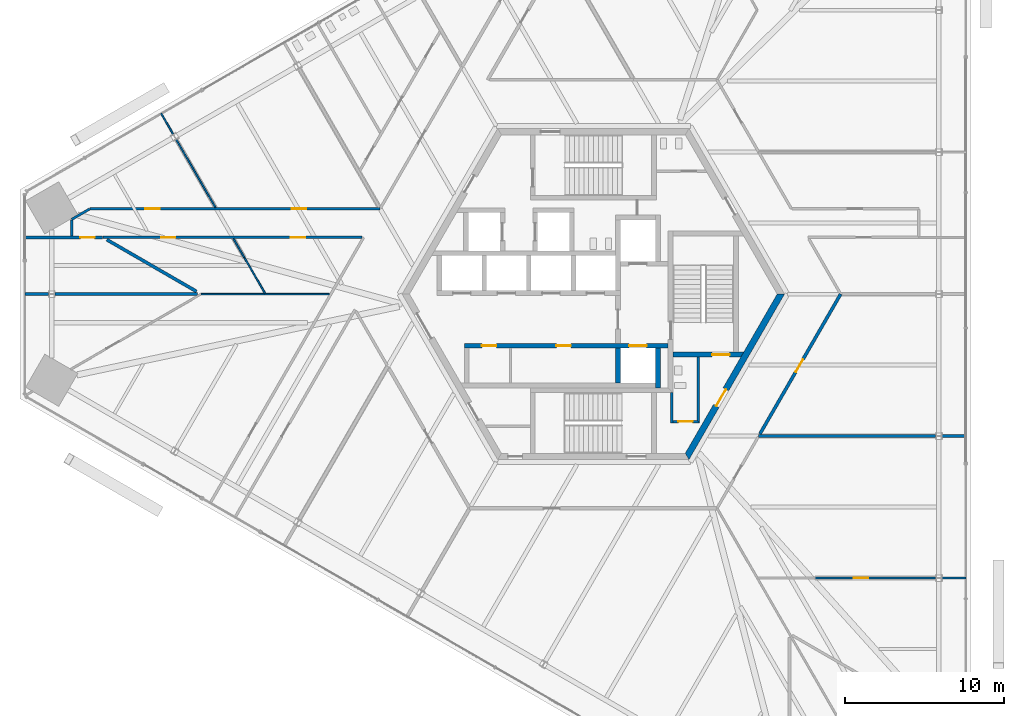
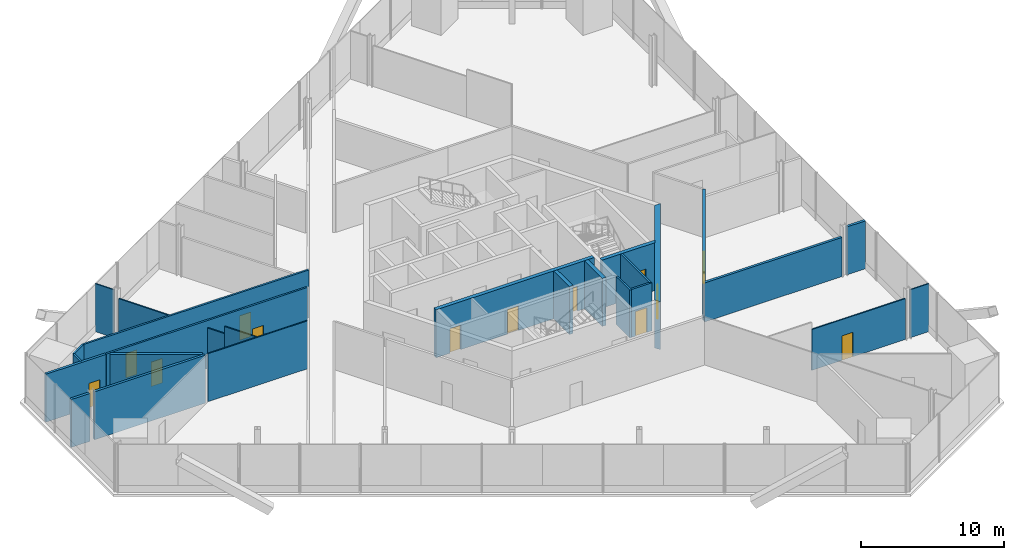
# One storey, part 12 of 17: 26 walls, 13 doors, 13 openings.
"""IFC4 building model written with IfcOpenShell, lengths in metres."""

import ifcopenshell
import ifcopenshell.guid

model = None  # the IFC model being written
_history = None  # IfcOwnerHistory: only IFC2X3 demands one
_inside = {}  # id of a spatial element -> (the spatial element, [elements in it])
_under = {}  # id of a project, library or spatial element -> (it, [spatial elements below it])
_declared = {}  # id of a project -> (the project, [libraries it declares])
_typed = {}  # id of a type object -> (the type object, [elements of that type])
_made_of = {}  # id of a material, layer set ... -> (it, [elements and type objects made of it])


def new_model(schema):
    """Start an empty IFC model of exactly this schema.

    Asked for "IFC4X3", IfcOpenShell would pick the latest addendum, in which some entities
    have other attributes; the version numbers below select the first issue.
    IFC2X3 requires an IfcOwnerHistory on every rooted entity: one is made here for all.
    """
    global model, _history
    if schema == "IFC4X3":
        model = ifcopenshell.file(schema_version=(4, 3, 0, 0))
    else:
        model = ifcopenshell.file(schema=schema)
    _inside.clear()
    _under.clear()
    _declared.clear()
    _typed.clear()
    _made_of.clear()
    _history = None
    if model.schema == "IFC2X3":
        org = make("IfcOrganization", Name="unknown")
        user = make(
            "IfcPersonAndOrganization",
            ThePerson=make("IfcPerson", FamilyName="unknown"),
            TheOrganization=org,
        )
        app = make(
            "IfcApplication",
            ApplicationDeveloper=org,
            Version="unknown",
            ApplicationFullName="unknown",
            ApplicationIdentifier="unknown",
        )
        _history = make(
            "IfcOwnerHistory",
            OwningUser=user,
            OwningApplication=app,
            ChangeAction="ADDED",
            CreationDate=0,
        )
    return model


def make(cls, **values):
    """One entity of the class cls with the attributes given. An attribute that is None is left unset."""
    return model.create_entity(
        cls, **{name: value for name, value in values.items() if value is not None}
    )


def rooted(cls, **values):
    """An entity with a GlobalId (a new one), such as an element, a storey or a relation."""
    return make(cls, GlobalId=ifcopenshell.guid.new(), OwnerHistory=_history, **values)


def si_unit(unit_type, name, prefix=None):
    """IfcSIUnit, for example si_unit("LENGTHUNIT", "METRE", prefix="MILLI")."""
    return make("IfcSIUnit", UnitType=unit_type, Prefix=prefix, Name=name)


def assignment(units):
    """IfcUnitAssignment: the units of a project."""
    return None if units is None else make("IfcUnitAssignment", Units=units)


def point(xyz):
    """IfcCartesianPoint."""
    return None if xyz is None else make("IfcCartesianPoint", Coordinates=xyz)


def direction(xyz):
    """IfcDirection."""
    return None if xyz is None else make("IfcDirection", DirectionRatios=xyz)


def frame(location, z_axis=None, x_axis=None):
    """IfcAxis2Placement3D, a coordinate frame: its origin and axes. An axis left out is left unset."""
    return make(
        "IfcAxis2Placement3D",
        Location=point(location),
        Axis=direction(z_axis),
        RefDirection=direction(x_axis),
    )


def frame_2d(location, x_axis=None):
    """IfcAxis2Placement2D, a coordinate frame in the plane: its origin and x axis."""
    return make(
        "IfcAxis2Placement2D", Location=point(location), RefDirection=direction(x_axis)
    )


def origin():
    """The frame at (0, 0, 0) with its axes left unset."""
    return frame((0.0, 0.0, 0.0))


def place(relative_to, where):
    """IfcLocalPlacement: puts the frame where relative to a parent placement (None: the world)."""
    return make(
        "IfcLocalPlacement", PlacementRelTo=relative_to, RelativePlacement=where
    )


def context(
    kind, dimensions, precision=None, world=None, true_north=None, identifier=None
):
    """IfcGeometricRepresentationContext, for example the 3D "Model" context."""
    return make(
        "IfcGeometricRepresentationContext",
        ContextIdentifier=identifier,
        ContextType=kind,
        CoordinateSpaceDimension=dimensions,
        Precision=precision,
        WorldCoordinateSystem=world,
        TrueNorth=true_north,
    )


def subcontext(parent, identifier, kind, view, scale=None):
    """IfcGeometricRepresentationSubContext, for example "Body" below "Model"."""
    return make(
        "IfcGeometricRepresentationSubContext",
        ContextIdentifier=identifier,
        ContextType=kind,
        ParentContext=parent,
        TargetScale=scale,
        TargetView=view,
    )


def project(units=None, contexts=None):
    """IfcProject with its units and contexts."""
    return rooted(
        "IfcProject",
        Name="project",
        RepresentationContexts=contexts,
        UnitsInContext=assignment(units),
    )


def spatial(cls, under=None, at=None, **own):
    """A site, building, storey or space (cls), placed at a placement, below another one or the project."""
    s = rooted(cls, ObjectPlacement=at, **own)
    if under is not None:
        _under.setdefault(under.id(), (under, []))[1].append(s)
    return s


def polyline(points):
    """IfcPolyline through the points."""
    return make("IfcPolyline", Points=[point(p) for p in points])


def profile(cls, at=None, kind="AREA", **sizes):
    """A parametric profile (cls). Its sizes go by their IFC names, for example OverallWidth=200.0."""
    return make(cls, ProfileType=kind, Position=at, **sizes)


def rectangle(**sizes):
    """IfcRectangleProfileDef."""
    return profile("IfcRectangleProfileDef", **sizes)


def outline(outer, holes=None, kind="AREA"):
    """IfcArbitraryClosedProfileDef: a profile drawn as a closed curve; with holes, ...WithVoids."""
    if holes is None:
        return make("IfcArbitraryClosedProfileDef", ProfileType=kind, OuterCurve=outer)
    return make(
        "IfcArbitraryProfileDefWithVoids",
        ProfileType=kind,
        OuterCurve=outer,
        InnerCurves=holes,
    )


def extrude(swept, where, along, depth):
    """IfcExtrudedAreaSolid: the profile swept, set in the frame where, extruded along a direction by depth."""
    return make(
        "IfcExtrudedAreaSolid",
        SweptArea=swept,
        Position=where,
        ExtrudedDirection=direction(along),
        Depth=depth,
    )


def shape(context_of_items, identifier, shape_type, items):
    """IfcShapeRepresentation: the items that make up one representation, for example the "Body"."""
    return make(
        "IfcShapeRepresentation",
        ContextOfItems=context_of_items,
        RepresentationIdentifier=identifier,
        RepresentationType=shape_type,
        Items=items,
    )


def source(mapping_origin, context_of_items, identifier, shape_type, items):
    """IfcRepresentationMap: a shape defined once, which mapped items show again and again."""
    return make(
        "IfcRepresentationMap",
        MappingOrigin=mapping_origin,
        MappedRepresentation=shape(context_of_items, identifier, shape_type, items),
    )


def transform(
    local_origin,
    x_axis=None,
    y_axis=None,
    z_axis=None,
    scale=None,
    scale2=None,
    scale3=None,
    uniform=True,
):
    """IfcCartesianTransformationOperator3D, or its non-uniform kind. x_axis, y_axis, z_axis: its Axis1, 2, 3."""
    if uniform:
        return make(
            "IfcCartesianTransformationOperator3D",
            Axis1=direction(x_axis),
            Axis2=direction(y_axis),
            LocalOrigin=point(local_origin),
            Scale=scale,
            Axis3=direction(z_axis),
        )
    return make(
        "IfcCartesianTransformationOperator3DnonUniform",
        Axis1=direction(x_axis),
        Axis2=direction(y_axis),
        LocalOrigin=point(local_origin),
        Scale=scale,
        Axis3=direction(z_axis),
        Scale2=scale2,
        Scale3=scale3,
    )


def mapped(mapping_source, mapping_target):
    """IfcMappedItem: shows the shape of a source again, moved by a transform."""
    return make(
        "IfcMappedItem", MappingSource=mapping_source, MappingTarget=mapping_target
    )


def material(Name=None, Category=None):
    """IfcMaterial."""
    return make("IfcMaterial", Name=Name, Category=Category)


def layer(
    of_material, thickness, ventilated=None, Name=None, Category=None, Priority=None
):
    """IfcMaterialLayer: one layer of a wall or slab, of a material (None: an air gap)."""
    return make(
        "IfcMaterialLayer",
        Material=of_material,
        LayerThickness=thickness,
        IsVentilated=ventilated,
        Name=Name,
        Category=Category,
        Priority=Priority,
    )


def layer_set(layers, Name=None):
    """IfcMaterialLayerSet."""
    return make("IfcMaterialLayerSet", MaterialLayers=layers, LayerSetName=Name)


def made_of(thing, what):
    """Note that an element or type object is made of a material, layer set ...; save() writes the relation."""
    if what is not None:
        _made_of.setdefault(what.id(), (what, []))[1].append(thing)
    return thing


def type_object(cls, material=None, **own):
    """A type object (cls), such as IfcWallType, which elements share."""
    return made_of(rooted(cls, **own), material)


def element(
    cls,
    number,
    at=None,
    inside=None,
    cuts=None,
    type_object=None,
    material=None,
    context=None,
    identifier="Body",
    shape_type=None,
    held_by="IfcProductDefinitionShape",
    body=None,
    shapes=None,
    **own,
):
    """One element of the class cls, such as IfcWall. Its Tag is "e" and its number.

    at: its placement. inside: the storey or other place that contains it. cuts: it is an
    opening in that element (IfcRelVoidsElement). A single representation is given by context,
    identifier, shape_type and body (its items); several are given by shapes. held_by: the class
    of the entity that holds the representations. save() writes the other relations.
    """
    e = rooted(cls, Tag="e%d" % number, ObjectPlacement=at, **own)
    if body is not None:
        shapes = [shape(context, identifier, shape_type, body)]
    if shapes is not None:
        e.Representation = make(held_by, Representations=shapes)
    if inside is not None:
        _inside.setdefault(inside.id(), (inside, []))[1].append(e)
    if cuts is not None:
        rooted(
            "IfcRelVoidsElement", RelatingBuildingElement=cuts, RelatedOpeningElement=e
        )
    if type_object is not None:
        _typed.setdefault(type_object.id(), (type_object, []))[1].append(e)
    return made_of(e, material)


def fill(opening, filler):
    """IfcRelFillsElement: the door or window that sits in an opening."""
    return rooted(
        "IfcRelFillsElement",
        RelatingOpeningElement=opening,
        RelatedBuildingElement=filler,
    )


def aggregate(whole, parts):
    """IfcRelAggregates: a whole, such as a stair, and the parts it consists of."""
    return rooted("IfcRelAggregates", RelatingObject=whole, RelatedObjects=parts)


def save(model, path):
    """Write the relations noted so far, then the file.

    IfcRelAggregates (storeys below a building ...), IfcRelContainedInSpatialStructure (elements
    in a storey), IfcRelDefinesByType, IfcRelAssociatesMaterial and IfcRelDeclares: one each for
    every whole, place, type object, material and project.
    """
    for whole, parts in _under.values():
        aggregate(whole, parts)
    for where, things in _inside.values():
        rooted(
            "IfcRelContainedInSpatialStructure",
            RelatedElements=things,
            RelatingStructure=where,
        )
    for kind, things in _typed.values():
        rooted("IfcRelDefinesByType", RelatedObjects=things, RelatingType=kind)
    for what, things in _made_of.values():
        rooted("IfcRelAssociatesMaterial", RelatedObjects=things, RelatingMaterial=what)
    for by, libraries in _declared.values():
        rooted("IfcRelDeclares", RelatingContext=by, RelatedDefinitions=libraries)
    model.write(path)


model = new_model("IFC4")

# Units and contexts
model_context = context("Model", 3, precision=1e-05, world=origin(), true_north=direction((0.0, 1.0)))
body_context = subcontext(model_context, "Body", "Model", "MODEL_VIEW")
ifc_project = project(units=[si_unit("LENGTHUNIT", "METRE"), si_unit("AREAUNIT", "SQUARE_METRE"), si_unit("VOLUMEUNIT", "CUBIC_METRE"), si_unit("PLANEANGLEUNIT", "RADIAN"), si_unit("MASSUNIT", "GRAM", prefix="KILO")], contexts=[model_context])

# Site, building, storey
site_placement = place(None, origin())
site = spatial("IfcSite", under=ifc_project, at=site_placement, CompositionType="ELEMENT")
building_placement = place(site_placement, origin())
building = spatial("IfcBuilding", under=site, at=building_placement, Name="Triune Harvest Tower", CompositionType="ELEMENT")
storey_placement = place(building_placement, frame((0.0, 0.0, 46.10009765625)))
storey = spatial("IfcBuildingStorey", under=building, at=storey_placement, Name="L10", CompositionType="ELEMENT", Elevation=46.10009765625)

# Wall, openings, doors
ifc_material_1 = material(Name="Gypsum board on steel studs", Category="steel")
ifc_layer_1 = layer(ifc_material_1, 0.14990234375)
ifc_layer_set_1 = layer_set([ifc_layer_1], Name="Gypsum board on steel studs")
wall_type_1 = type_object("IfcWallType", Name="Fire Partition 150 mm", PredefinedType="PARTITIONING", material=ifc_layer_set_1)
wall_1_placement = place(storey_placement, frame((-30.769775390625, 3.554931640625, 0.0), z_axis=(0.0, 0.0, 1.0), x_axis=(1.0, 0.0, 0.0)))
wall_1 = element("IfcWall", 1, at=wall_1_placement, inside=storey, type_object=wall_type_1, Name="Partition L10 033", PredefinedType="PARTITIONING", context=body_context, shape_type="SweptSolid", body=[
    extrude(rectangle(XDim=16.240478515625, YDim=0.14990234375, at=frame_2d((8.1201171875, 0.0))), origin(), (0.0, 0.0, 1.0), 4.099853515625),
])
opening_1_placement = place(wall_1_placement, frame((11.79052734375, 0.0, 0.0)))
opening_1 = element("IfcOpeningElement", 2, at=opening_1_placement, cuts=wall_1, Name="Opening L10-015", PredefinedType="OPENING", context=body_context, shape_type="SweptSolid", body=[
    extrude(rectangle(XDim=0.89990234375, YDim=2.10009765625, at=frame_2d((0.449951171875, 1.050048828125))), frame((0.0, 0.0849609375, 0.0), z_axis=(0.0, -1.0, 0.0), x_axis=(1.0, 0.0, 0.0)), (0.0, 0.0, 1.0), 0.169921875),
])
opening_2_placement = place(wall_1_placement, frame((3.64404296875, 0.0, 0.0)))
opening_2 = element("IfcOpeningElement", 3, at=opening_2_placement, cuts=wall_1, Name="Opening L10-017", PredefinedType="OPENING", context=body_context, shape_type="SweptSolid", body=[
    extrude(rectangle(XDim=0.89990234375, YDim=2.10009765625, at=frame_2d((0.449951171875, 1.050048828125))), frame((0.0, 0.0849609375, 0.0), z_axis=(0.0, -1.0, 0.0), x_axis=(1.0, 0.0, 0.0)), (0.0, 0.0, 1.0), 0.169921875),
])
ifc_material_2 = material(Name="Timber and steel door set", Category="steel")
door_type_1 = type_object("IfcDoorType", Name="Single leaf door FD30 left hand 900 x 2100", OperationType="SINGLE_SWING_LEFT", PredefinedType="DOOR", material=ifc_material_2)
door_1_placement = place(opening_1_placement, origin())
door_1 = element("IfcDoor", 4, at=door_1_placement, inside=storey, type_object=door_type_1, Name="Door L10-015 Staff Room 10.15", OperationType="SINGLE_SWING_LEFT", OverallHeight=2.10009765625, OverallWidth=0.89990234375, PredefinedType="DOOR", context=body_context, shape_type="SweptSolid", body=[
    extrude(rectangle(XDim=0.89990234375, YDim=2.10009765625, at=frame_2d((0.449951171875, 1.050048828125))), frame((0.0, 0.02490234375, 0.0), z_axis=(0.0, -1.0, 0.0), x_axis=(1.0, 0.0, 0.0)), (0.0, 0.0, 1.0), 0.050048828125),
])
fill(opening_1, door_1)
ifc_material_3 = material(Name="Timber and steel door set", Category="steel")
door_type_2 = type_object("IfcDoorType", Name="Single leaf door FD30 right hand 900 x 2100", OperationType="SINGLE_SWING_RIGHT", PredefinedType="DOOR", material=ifc_material_3)
door_2_placement = place(opening_2_placement, origin())
door_2 = element("IfcDoor", 5, at=door_2_placement, inside=storey, type_object=door_type_2, Name="Door L10-017 Staff Room 10.17", OperationType="SINGLE_SWING_RIGHT", OverallHeight=2.10009765625, OverallWidth=0.89990234375, PredefinedType="DOOR", context=body_context, shape_type="SweptSolid", body=[
    extrude(rectangle(XDim=0.89990234375, YDim=2.10009765625, at=frame_2d((0.449951171875, 1.050048828125))), frame((0.0, 0.02490234375, 0.0), z_axis=(0.0, -1.0, 0.0), x_axis=(1.0, 0.0, 0.0)), (0.0, 0.0, 1.0), 0.050048828125),
])
fill(opening_2, door_2)

wall_2_placement = place(storey_placement, frame((-31.583984375, 5.35498046875, 0.0), z_axis=(0.0, 0.0, 1.0), x_axis=(1.0, 0.0, 0.0)))
wall_2 = element("IfcWall", 6, at=wall_2_placement, inside=storey, type_object=wall_type_1, Name="Partition L10 036", PredefinedType="PARTITIONING", context=body_context, shape_type="SweptSolid", body=[
    extrude(rectangle(XDim=18.203857421875, YDim=0.14990234375, at=frame_2d((9.10205078125, 0.0))), origin(), (0.0, 0.0, 1.0), 4.099853515625),
])
opening_3_placement = place(wall_2_placement, frame((12.65380859375, 0.0, 0.0)))
opening_3 = element("IfcOpeningElement", 7, at=opening_3_placement, cuts=wall_2, Name="Opening L10-014", PredefinedType="OPENING", context=body_context, shape_type="SweptSolid", body=[
    extrude(rectangle(XDim=0.89990234375, YDim=2.10009765625, at=frame_2d((0.449951171875, 1.050048828125))), frame((0.0, 0.0849609375, 0.0), z_axis=(0.0, -1.0, 0.0), x_axis=(1.0, 0.0, 0.0)), (0.0, 0.0, 1.0), 0.169921875),
])
opening_4_placement = place(wall_2_placement, frame((3.46533203125, 0.0, 0.0)))
opening_4 = element("IfcOpeningElement", 8, at=opening_4_placement, cuts=wall_2, Name="Opening L10-016", PredefinedType="OPENING", context=body_context, shape_type="SweptSolid", body=[
    extrude(rectangle(XDim=0.89990234375, YDim=2.10009765625, at=frame_2d((0.449951171875, 1.050048828125))), frame((0.0, 0.0849609375, 0.0), z_axis=(0.0, -1.0, 0.0), x_axis=(1.0, 0.0, 0.0)), (0.0, 0.0, 1.0), 0.169921875),
])
door_3_placement = place(opening_4_placement, origin())
door_3 = element("IfcDoor", 9, at=door_3_placement, inside=storey, type_object=door_type_1, Name="Door L10-016 Staff Room 10.16", OperationType="SINGLE_SWING_LEFT", OverallHeight=2.10009765625, OverallWidth=0.89990234375, PredefinedType="DOOR", context=body_context, shape_type="SweptSolid", body=[
    extrude(rectangle(XDim=0.89990234375, YDim=2.10009765625, at=frame_2d((0.449951171875, 1.050048828125))), frame((0.0, 0.02490234375, 0.0), z_axis=(0.0, -1.0, 0.0), x_axis=(1.0, 0.0, 0.0)), (0.0, 0.0, 1.0), 0.050048828125),
])
fill(opening_4, door_3)
door_4_placement = place(opening_3_placement, origin())
door_4 = element("IfcDoor", 10, at=door_4_placement, inside=storey, type_object=door_type_2, Name="Door L10-014 Staff Room 10.14", OperationType="SINGLE_SWING_RIGHT", OverallHeight=2.10009765625, OverallWidth=0.89990234375, PredefinedType="DOOR", context=body_context, shape_type="SweptSolid", body=[
    extrude(rectangle(XDim=0.89990234375, YDim=2.10009765625, at=frame_2d((0.449951171875, 1.050048828125))), frame((0.0, 0.02490234375, 0.0), z_axis=(0.0, -1.0, 0.0), x_axis=(1.0, 0.0, 0.0)), (0.0, 0.0, 1.0), 0.050048828125),
])
fill(opening_3, door_4)

# Walls
wall_3_placement = place(storey_placement, frame((-32.738525390625, 4.688232421875, 0.0), z_axis=(0.0, 0.0, 1.0), x_axis=(0.865968850352, 0.500097940628, 0.0)))
element("IfcWall", 11, at=wall_3_placement, inside=storey, type_object=wall_type_1, Name="Partition L10 044", PredefinedType="PARTITIONING", context=body_context, shape_type="SweptSolid", body=[
    extrude(rectangle(XDim=1.313232421875, YDim=0.14990234375, at=frame_2d((0.65673828125, 0.0))), origin(), (0.0, 0.0, 1.0), 4.099853515625),
])
wall_4_placement = place(storey_placement, frame((-32.738525390625, 3.635009765625, 0.0), z_axis=(0.0, 0.0, 1.0), x_axis=(0.0, 1.0, 0.0)))
element("IfcWall", 12, at=wall_4_placement, inside=storey, type_object=wall_type_1, Name="Partition L10 063", PredefinedType="PARTITIONING", context=body_context, shape_type="SweptSolid", body=[
    extrude(rectangle(XDim=1.01318359375, YDim=0.14990234375, at=frame_2d((0.506591796875, 0.0))), origin(), (0.0, 0.0, 1.0), 4.099853515625),
])
ifc_material_4 = material(Name="Gypsum board on steel studs", Category="steel")
ifc_layer_2 = layer(ifc_material_4, 0.199951171875)
ifc_layer_set_2 = layer_set([ifc_layer_2], Name="Gypsum board on steel studs")
wall_type_2 = type_object("IfcWallType", Name="Fire Wall 200 mm", PredefinedType="PARTITIONING", material=ifc_layer_set_2)
wall_5_placement = place(storey_placement, frame((-30.533203125, 3.4150390625, 0.0), z_axis=(0.0, 0.0, 1.0), x_axis=(0.866024837091, -0.50000098154, 0.0)))
element("IfcWall", 13, at=wall_5_placement, inside=storey, type_object=wall_type_2, Name="Partition L10 019", PredefinedType="PARTITIONING", context=body_context, shape_type="SweptSolid", body=[
    extrude(rectangle(XDim=6.5, YDim=0.199951171875, at=frame_2d((3.25, 0.0))), origin(), (0.0, 0.0, 1.0), 4.099853515625),
])
wall_6_placement = place(storey_placement, frame((-33.79541015625, 0.0, 0.0), z_axis=(0.0, 0.0, 1.0), x_axis=(1.0, 0.0, 0.0)))
element("IfcWall", 14, at=wall_6_placement, inside=storey, type_object=wall_type_2, Name="Partition L10 028", PredefinedType="PARTITIONING", context=body_context, shape_type="SweptSolid", body=[
    extrude(rectangle(XDim=8.947265625, YDim=0.199951171875, at=frame_2d((4.4736328125, 0.0))), origin(), (0.0, 0.0, 1.0), 4.099853515625),
])

# Wall, opening, door
wall_7_placement = place(storey_placement, frame((10.455810546875, -8.7744140625, 0.0), z_axis=(0.0, 0.0, 1.0), x_axis=(0.500000566121, 0.866025076934, 0.0)))
wall_7 = element("IfcWall", 15, at=wall_7_placement, inside=storey, type_object=wall_type_2, Name="Partition L10 046", PredefinedType="PARTITIONING", context=body_context, shape_type="SweptSolid", body=[
    extrude(rectangle(XDim=10.1318359375, YDim=0.199951171875, at=frame_2d((5.06591796875, 0.0))), origin(), (0.0, 0.0, 1.0), 4.099853515625),
])
opening_5_placement = place(wall_7_placement, frame((4.493408203125, 0.0, 0.0)))
opening_5 = element("IfcOpeningElement", 16, at=opening_5_placement, cuts=wall_7, Name="Opening L10-003", PredefinedType="OPENING", context=body_context, shape_type="SweptSolid", body=[
    extrude(rectangle(XDim=0.89990234375, YDim=2.10009765625, at=frame_2d((0.449951171875, 1.050048828125))), frame((0.0, 0.10986328125, 0.0), z_axis=(0.0, -1.0, 0.0), x_axis=(1.0, 0.0, 0.0)), (0.0, 0.0, 1.0), 0.219970703125),
])
ifc_material_5 = material(Name="Timber and steel door set", Category="steel")
door_type_3 = type_object("IfcDoorType", Name="Single leaf door FD60 right hand 900 x 2100", OperationType="SINGLE_SWING_RIGHT", PredefinedType="DOOR", material=ifc_material_5)
door_5_placement = place(opening_5_placement, origin())
door_5 = element("IfcDoor", 17, at=door_5_placement, inside=storey, type_object=door_type_3, Name="Door L10-003 Pump Room 10.03", OperationType="SINGLE_SWING_RIGHT", OverallHeight=2.10009765625, OverallWidth=0.89990234375, PredefinedType="DOOR", context=body_context, shape_type="SweptSolid", body=[
    extrude(rectangle(XDim=0.89990234375, YDim=2.10009765625, at=frame_2d((0.449951171875, 1.050048828125))), frame((0.0, 0.02490234375, 0.0), z_axis=(0.0, -1.0, 0.0), x_axis=(1.0, 0.0, 0.0)), (0.0, 0.0, 1.0), 0.050048828125),
])
fill(opening_5, door_5)

# Walls
ifc_material_6 = material(Name="Gypsum board on steel studs", Category="steel")
ifc_layer_3 = layer(ifc_material_6, 0.10009765625)
ifc_layer_set_3 = layer_set([ifc_layer_3], Name="Gypsum board on steel studs")
wall_type_3 = type_object("IfcWallType", Name="Partition 100 mm", PredefinedType="PARTITIONING", material=ifc_layer_set_3)
wall_8_placement = place(storey_placement, frame((-26.17578125, 9.69775390625, 0.0), z_axis=(0.0, 0.0, 1.0), x_axis=(0.500009969958, -0.86601964755, 0.0)))
element("IfcWall", 18, at=wall_8_placement, inside=storey, type_object=wall_type_3, Name="Partition L10 002", PredefinedType="PARTITIONING", context=body_context, shape_type="SweptSolid", body=[
    extrude(rectangle(XDim=4.9248046875, YDim=0.10009765625, at=frame_2d((2.46240234375, 0.0))), origin(), (0.0, 0.0, 1.0), 3.48779296875),
])
wall_9_placement = place(storey_placement, frame((-22.584228515625, 3.477294921875, 0.0), z_axis=(0.0, 0.0, 1.0), x_axis=(0.499978698016, -0.866037702141, 0.0)))
element("IfcWall", 19, at=wall_9_placement, inside=storey, type_object=wall_type_3, Name="Partition L10 003", PredefinedType="PARTITIONING", context=body_context, shape_type="SweptSolid", body=[
    extrude(rectangle(XDim=1.37451171875, YDim=0.10009765625, at=frame_2d((0.687255859375, 0.0))), origin(), (0.0, 0.0, 1.0), 3.48779296875),
])
wall_10_placement = place(storey_placement, frame((-21.89697265625, 2.286865234375, 0.0), z_axis=(0.0, 0.0, 1.0), x_axis=(0.499995433041, -0.866028040503, 0.0)))
element("IfcWall", 20, at=wall_10_placement, inside=storey, type_object=wall_type_3, Name="Partition L10 003a", PredefinedType="PARTITIONING", context=body_context, shape_type="SweptSolid", body=[
    extrude(rectangle(XDim=2.58056640625, YDim=0.10009765625, at=frame_2d((1.290283203125, 0.0))), origin(), (0.0, 0.0, 1.0), 4.099853515625),
])
wall_11_placement = place(storey_placement, frame((-24.6181640625, 0.0, 0.0), z_axis=(0.0, 0.0, 1.0), x_axis=(1.0, 0.0, 0.0)))
element("IfcWall", 21, at=wall_11_placement, inside=storey, type_object=wall_type_3, Name="Partition L10 029", PredefinedType="PARTITIONING", context=body_context, shape_type="SweptSolid", body=[
    extrude(rectangle(XDim=8.056396484375, YDim=0.10009765625, at=frame_2d((4.0283203125, 0.0))), origin(), (0.0, 0.0, 1.0), 4.099853515625),
])

# Wall, opening, door
ifc_material_7 = material(Name="Concrete 70 MPa", Category="concrete")
ifc_layer_4 = layer(ifc_material_7, 0.39990234375)
ifc_layer_set_4 = layer_set([ifc_layer_4], Name="Concrete 70 MPa")
wall_type_4 = type_object("IfcWallType", Name="Core wall 400", PredefinedType="SHEAR", material=ifc_layer_set_4)
shared_shape_1 = source(origin(), body_context, "Body", "SweptSolid", [
    extrude(outline(polyline([(-0.115478515625, -0.199951171875), (11.884521484375, -0.199951171875), (11.653564453125, 0.199951171875), (0.115478515625, 0.199951171875), (-0.115478515625, -0.199951171875)])), origin(), (0.0, 0.0, 1.0), 4.099853515625),
])
wall_12_placement = place(storey_placement, frame((5.884521484375, -10.1923828125, 0.0), z_axis=(0.0, 0.0, 1.0), x_axis=(0.499996592174, 0.866027371285, 0.0)))
wall_12 = element("IfcWall", 22, at=wall_12_placement, inside=storey, type_object=wall_type_4, Name="Hexagon 5 wall", PredefinedType="SHEAR", context=body_context, shape_type="MappedRepresentation", body=[
    mapped(shared_shape_1, transform((0.0, 0.0, 0.0), scale=1.0)),
])
opening_6_placement = place(wall_12_placement, frame((3.66455078125, 0.0, 0.0)))
opening_6 = element("IfcOpeningElement", 23, at=opening_6_placement, cuts=wall_12, Name="Opening CD-DP", PredefinedType="OPENING", context=body_context, shape_type="SweptSolid", body=[
    extrude(rectangle(XDim=1.199951171875, YDim=2.10009765625, at=frame_2d((0.60009765625, 1.050048828125))), frame((0.0, 0.2099609375, 0.0), z_axis=(0.0, -1.0, 0.0), x_axis=(1.0, 0.0, 0.0)), (0.0, 0.0, 1.0), 0.419921875),
])
ifc_material_8 = material(Name="Steel S235", Category="steel")
door_type_4 = type_object("IfcDoorType", Name="Stair door 1200 FD120", OperationType="SINGLE_SWING_LEFT", PredefinedType="DOOR", material=ifc_material_8)
door_6_placement = place(opening_6_placement, frame((1.199951171875, 0.0, 0.0), z_axis=(0.0, 0.0, 1.0), x_axis=(-1.0, 0.0, 0.0)))
door_6 = element("IfcDoor", 24, at=door_6_placement, inside=storey, type_object=door_type_4, Name="Door CD-DP", OperationType="SINGLE_SWING_RIGHT", OverallHeight=2.10009765625, OverallWidth=1.199951171875, PredefinedType="DOOR", context=body_context, shape_type="SweptSolid", body=[
    extrude(rectangle(XDim=1.199951171875, YDim=2.10009765625, at=frame_2d((0.60009765625, 1.050048828125))), frame((0.0, 0.02490234375, 0.0), z_axis=(0.0, -1.0, 0.0), x_axis=(1.0, 0.0, 0.0)), (0.0, 0.0, 1.0), 0.050048828125),
])
fill(opening_6, door_6)

# Wall
ifc_material_9 = material(Name="Concrete 70 MPa", Category="concrete")
ifc_layer_5 = layer(ifc_material_9, 0.300048828125)
ifc_layer_set_5 = layer_set([ifc_layer_5], Name="Concrete 70 MPa")
wall_type_5 = type_object("IfcWallType", Name="Core wall 300", PredefinedType="SHEAR", material=ifc_layer_set_5)
shared_shape_2 = source(origin(), body_context, "Body", "SweptSolid", [
    extrude(rectangle(XDim=2.5, YDim=0.300048828125, at=frame_2d((1.25, 0.0))), origin(), (0.0, 0.0, 1.0), 4.099853515625),
])
wall_13_placement = place(storey_placement, frame((4.050048828125, -5.889892578125, 0.0), z_axis=(0.0, 0.0, 1.0), x_axis=(0.0, 1.0, 0.0)))
element("IfcWall", 25, at=wall_13_placement, inside=storey, type_object=wall_type_5, Name="Ff2 east wall", PredefinedType="SHEAR", context=body_context, shape_type="MappedRepresentation", body=[
    mapped(shared_shape_2, transform((0.0, 0.0, 0.0), scale=1.0)),
])

# Wall, openings, doors
shared_shape_3 = source(origin(), body_context, "Body", "SweptSolid", [
    extrude(rectangle(XDim=12.800048828125, YDim=0.300048828125, at=frame_2d((6.39990234375, 0.0))), origin(), (0.0, 0.0, 1.0), 4.099853515625),
])
wall_14_placement = place(storey_placement, frame((-8.10009765625, -3.239990234375, 0.0), z_axis=(0.0, 0.0, 1.0), x_axis=(1.0, 0.0, 0.0)))
wall_14 = element("IfcWall", 26, at=wall_14_placement, inside=storey, type_object=wall_type_5, Name="South front wall", PredefinedType="SHEAR", context=body_context, shape_type="MappedRepresentation", body=[
    mapped(shared_shape_3, transform((0.0, 0.0, 0.0), scale=1.0)),
])
opening_7_placement = place(wall_14_placement, frame((1.112548828125, 0.0, 0.0)))
opening_7 = element("IfcOpeningElement", 27, at=opening_7_placement, cuts=wall_14, Name="Opening CD-RS1", PredefinedType="OPENING", context=body_context, shape_type="SweptSolid", body=[
    extrude(rectangle(XDim=0.89990234375, YDim=2.10009765625, at=frame_2d((0.449951171875, 1.050048828125))), frame((0.0, 0.16015625, 0.0), z_axis=(0.0, -1.0, 0.0), x_axis=(1.0, 0.0, 0.0)), (0.0, 0.0, 1.0), 0.320068359375),
])
opening_8_placement = place(wall_14_placement, frame((5.78759765625, 0.0, 0.0)))
opening_8 = element("IfcOpeningElement", 28, at=opening_8_placement, cuts=wall_14, Name="Opening CD-RS2", PredefinedType="OPENING", context=body_context, shape_type="SweptSolid", body=[
    extrude(rectangle(XDim=0.89990234375, YDim=2.10009765625, at=frame_2d((0.449951171875, 1.050048828125))), frame((0.0, 0.16015625, 0.0), z_axis=(0.0, -1.0, 0.0), x_axis=(1.0, 0.0, 0.0)), (0.0, 0.0, 1.0), 0.320068359375),
])
opening_9_placement = place(wall_14_placement, frame((10.35009765625, 0.0, 0.0)))
opening_9 = element("IfcOpeningElement", 29, at=opening_9_placement, cuts=wall_14, Name="Opening LD-FF2-10", PredefinedType="OPENING", context=body_context, shape_type="SweptSolid", body=[
    extrude(rectangle(XDim=1.10009765625, YDim=2.10009765625, at=frame_2d((0.550048828125, 1.050048828125))), frame((0.0, 0.16015625, 0.0), z_axis=(0.0, -1.0, 0.0), x_axis=(1.0, 0.0, 0.0)), (0.0, 0.0, 1.0), 0.320068359375),
])
ifc_material_10 = material(Name="Stainless steel AISI 304", Category="steel")
door_type_5 = type_object("IfcDoorType", Name="Landing door 1100 x 2100", OperationType="DOUBLE_DOOR_SLIDING", PredefinedType="DOOR", material=ifc_material_10)
door_7_placement = place(opening_9_placement, origin())
door_7 = element("IfcDoor", 30, at=door_7_placement, inside=storey, type_object=door_type_5, Name="Door LD-FF2-10", OperationType="DOUBLE_DOOR_SLIDING", OverallHeight=2.10009765625, OverallWidth=1.10009765625, PredefinedType="DOOR", context=body_context, shape_type="SweptSolid", body=[
    extrude(rectangle(XDim=1.10009765625, YDim=2.10009765625, at=frame_2d((0.550048828125, 1.050048828125))), frame((0.0, 0.02490234375, 0.0), z_axis=(0.0, -1.0, 0.0), x_axis=(1.0, 0.0, 0.0)), (0.0, 0.0, 1.0), 0.050048828125),
])
fill(opening_9, door_7)
ifc_material_11 = material(Name="Steel S235", Category="steel")
door_type_6 = type_object("IfcDoorType", Name="Riser door 900 FD120", OperationType="SINGLE_SWING_LEFT", PredefinedType="DOOR", material=ifc_material_11)
door_8_placement = place(opening_7_placement, origin())
door_8 = element("IfcDoor", 31, at=door_8_placement, inside=storey, type_object=door_type_6, Name="Door CD-RS1", OperationType="SINGLE_SWING_LEFT", OverallHeight=2.10009765625, OverallWidth=0.89990234375, PredefinedType="DOOR", context=body_context, shape_type="SweptSolid", body=[
    extrude(rectangle(XDim=0.89990234375, YDim=2.10009765625, at=frame_2d((0.449951171875, 1.050048828125))), frame((0.0, 0.02490234375, 0.0), z_axis=(0.0, -1.0, 0.0), x_axis=(1.0, 0.0, 0.0)), (0.0, 0.0, 1.0), 0.050048828125),
])
fill(opening_7, door_8)
door_9_placement = place(opening_8_placement, origin())
door_9 = element("IfcDoor", 32, at=door_9_placement, inside=storey, type_object=door_type_6, Name="Door CD-RS2", OperationType="SINGLE_SWING_LEFT", OverallHeight=2.10009765625, OverallWidth=0.89990234375, PredefinedType="DOOR", context=body_context, shape_type="SweptSolid", body=[
    extrude(rectangle(XDim=0.89990234375, YDim=2.10009765625, at=frame_2d((0.449951171875, 1.050048828125))), frame((0.0, 0.02490234375, 0.0), z_axis=(0.0, -1.0, 0.0), x_axis=(1.0, 0.0, 0.0)), (0.0, 0.0, 1.0), 0.050048828125),
])
fill(opening_8, door_9)

# Wall
shared_shape_4 = source(origin(), body_context, "Body", "SweptSolid", [
    extrude(rectangle(XDim=2.2001953125, YDim=0.300048828125, at=frame_2d((1.10009765625, 0.0))), origin(), (0.0, 0.0, 1.0), 4.099853515625),
])
wall_15_placement = place(storey_placement, frame((1.550048828125, -5.590087890625, 0.0), z_axis=(0.0, 0.0, 1.0), x_axis=(0.0, 1.0, 0.0)))
element("IfcWall", 33, at=wall_15_placement, inside=storey, type_object=wall_type_5, Name="Ff2 west wall", PredefinedType="SHEAR", context=body_context, shape_type="MappedRepresentation", body=[
    mapped(shared_shape_4, transform((0.0, 0.0, 0.0), scale=1.0)),
])

# Wall, opening, door
shared_shape_5 = source(origin(), body_context, "Body", "SweptSolid", [
    extrude(outline(polyline([(0.0, -0.14990234375), (0.0, 0.14990234375), (4.43310546875, 0.14990234375), (4.260009765625, -0.14990234375), (0.0, -0.14990234375)])), origin(), (0.0, 0.0, 1.0), 4.099853515625),
])
wall_16_placement = place(storey_placement, frame((5.0, -3.800048828125, 0.0), z_axis=(0.0, 0.0, 1.0), x_axis=(1.0, 0.0, 0.0)))
wall_16 = element("IfcWall", 34, at=wall_16_placement, inside=storey, type_object=wall_type_5, Name="Stair e south wall", PredefinedType="SHEAR", context=body_context, shape_type="MappedRepresentation", body=[
    mapped(shared_shape_5, transform((0.0, 0.0, 0.0), scale=1.0)),
])
opening_10_placement = place(wall_16_placement, frame((2.449951171875, 0.0, 0.0)))
opening_10 = element("IfcOpeningElement", 35, at=opening_10_placement, cuts=wall_16, Name="Opening CD-S3D", PredefinedType="OPENING", context=body_context, shape_type="SweptSolid", body=[
    extrude(rectangle(XDim=1.10009765625, YDim=2.10009765625, at=frame_2d((0.550048828125, 1.050048828125))), frame((0.0, 0.16015625, 0.0), z_axis=(0.0, -1.0, 0.0), x_axis=(1.0, 0.0, 0.0)), (0.0, 0.0, 1.0), 0.320068359375),
])
ifc_material_12 = material(Name="Steel S235", Category="steel")
door_type_7 = type_object("IfcDoorType", Name="Stair door 1100 FD120", OperationType="SINGLE_SWING_LEFT", PredefinedType="DOOR", material=ifc_material_12)
door_10_placement = place(opening_10_placement, frame((1.10009765625, 0.0, 0.0), z_axis=(0.0, 0.0, 1.0), x_axis=(-1.0, 0.0, 0.0)))
door_10 = element("IfcDoor", 36, at=door_10_placement, inside=storey, type_object=door_type_7, Name="Door CD-S3D", OperationType="SINGLE_SWING_RIGHT", OverallHeight=2.10009765625, OverallWidth=1.10009765625, PredefinedType="DOOR", context=body_context, shape_type="SweptSolid", body=[
    extrude(rectangle(XDim=1.10009765625, YDim=2.10009765625, at=frame_2d((0.550048828125, 1.050048828125))), frame((0.0, 0.02490234375, 0.0), z_axis=(0.0, -1.0, 0.0), x_axis=(1.0, 0.0, 0.0)), (0.0, 0.0, 1.0), 0.050048828125),
])
fill(opening_10, door_10)

ifc_material_13 = material(Name="Concrete masonry unit", Category="masonry")
ifc_layer_6 = layer(ifc_material_13, 0.14990234375)
ifc_layer_set_6 = layer_set([ifc_layer_6], Name="Concrete masonry unit")
wall_type_6 = type_object("IfcWallType", Name="Block partition 150 unrated", PredefinedType="PARTITIONING", material=ifc_layer_set_6)
shared_shape_6 = source(origin(), body_context, "Body", "SweptSolid", [
    extrude(outline(polyline([(0.0, -0.074951171875), (1.64990234375, -0.074951171875), (1.5, 0.074951171875), (0.0, 0.074951171875), (0.0, -0.074951171875)])), origin(), (0.0, 0.0, 1.0), 4.099853515625),
])
wall_17_placement = place(storey_placement, frame((5.0, -8.0, 0.0), z_axis=(0.0, 0.0, 1.0), x_axis=(1.0, 0.0, 0.0)))
wall_17 = element("IfcWall", 37, at=wall_17_placement, inside=storey, type_object=wall_type_6, Name="Wc acc south wall", PredefinedType="PARTITIONING", context=body_context, shape_type="MappedRepresentation", body=[
    mapped(shared_shape_6, transform((0.0, 0.0, 0.0), scale=1.0)),
])
opening_11_placement = place(wall_17_placement, frame((0.33740234375, 0.0, 0.0)))
opening_11 = element("IfcOpeningElement", 38, at=opening_11_placement, cuts=wall_17, Name="Opening CD-WA", PredefinedType="OPENING", context=body_context, shape_type="SweptSolid", body=[
    extrude(rectangle(XDim=0.89990234375, YDim=2.10009765625, at=frame_2d((0.449951171875, 1.050048828125))), frame((0.0, 0.0849609375, 0.0), z_axis=(0.0, -1.0, 0.0), x_axis=(1.0, 0.0, 0.0)), (0.0, 0.0, 1.0), 0.169921875),
])
ifc_material_14 = material(Name="Timber C24", Category="wood")
door_type_8 = type_object("IfcDoorType", Name="WC door 900", OperationType="SINGLE_SWING_LEFT", PredefinedType="DOOR", material=ifc_material_14)
door_11_placement = place(opening_11_placement, origin())
door_11 = element("IfcDoor", 39, at=door_11_placement, inside=storey, type_object=door_type_8, Name="Door CD-WA", OperationType="SINGLE_SWING_LEFT", OverallHeight=2.10009765625, OverallWidth=0.89990234375, PredefinedType="DOOR", context=body_context, shape_type="SweptSolid", body=[
    extrude(rectangle(XDim=0.89990234375, YDim=2.10009765625, at=frame_2d((0.449951171875, 1.050048828125))), frame((0.0, 0.02490234375, 0.0), z_axis=(0.0, -1.0, 0.0), x_axis=(1.0, 0.0, 0.0)), (0.0, 0.0, 1.0), 0.050048828125),
])
fill(opening_11, door_11)

# Walls
shared_shape_7 = source(origin(), body_context, "Body", "SweptSolid", [
    extrude(outline(polyline([(-0.074951171875, -0.074951171875), (4.050048828125, -0.074951171875), (4.050048828125, 0.074951171875), (0.074951171875, 0.074951171875), (-0.074951171875, -0.074951171875)])), origin(), (0.0, 0.0, 1.0), 4.099853515625),
])
wall_18_placement = place(storey_placement, frame((6.574951171875, -8.0, 0.0), z_axis=(0.0, 0.0, 1.0), x_axis=(0.0, 1.0, 0.0)))
element("IfcWall", 40, at=wall_18_placement, inside=storey, type_object=wall_type_6, Name="Wc acc east wall", PredefinedType="PARTITIONING", context=body_context, shape_type="MappedRepresentation", body=[
    mapped(shared_shape_7, transform((0.0, 0.0, 0.0), scale=1.0)),
])
shared_shape_8 = source(origin(), body_context, "Body", "SweptSolid", [
    extrude(rectangle(XDim=1.885009765625, YDim=0.14990234375, at=frame_2d((0.9423828125, 0.0))), origin(), (0.0, 0.0, 1.0), 4.099853515625),
])
wall_19_placement = place(storey_placement, frame((4.925048828125, -8.074951171875, 0.0), z_axis=(0.0, 0.0, 1.0), x_axis=(0.0, 1.0, 0.0)))
element("IfcWall", 41, at=wall_19_placement, inside=storey, type_object=wall_type_6, Name="Wc acc west wall", PredefinedType="PARTITIONING", context=body_context, shape_type="MappedRepresentation", body=[
    mapped(shared_shape_8, transform((0.0, 0.0, 0.0), scale=1.0)),
])
shared_shape_9 = source(origin(), body_context, "Body", "SweptSolid", [
    extrude(rectangle(XDim=1.49853515625, YDim=0.199951171875, at=frame_2d((0.749267578125, 0.0))), origin(), (0.0, 0.0, 1.0), 4.099853515625),
])
for number, where, z_axis, x_axis, name in (
    (42, (21.872802734375, -8.909912109375, 0.0), (0.0, 0.0, 1.0), (1.0, 0.0, 0.0), "Partition L10 026"),
    (43, (-35.680419921875, 0.0, 0.0), (0.0, 0.0, 1.0), (1.0, 0.0, 0.0), "Partition L10 027"),
):
    element("IfcWall", number, at=place(storey_placement, frame(where, z_axis=z_axis, x_axis=x_axis)), inside=storey, type_object=wall_type_2, Name=name, PredefinedType="PARTITIONING", context=body_context, shape_type="MappedRepresentation", body=[
        mapped(shared_shape_9, transform((0.0, 0.0, 0.0), scale=1.0)),
    ])
shared_shape_10 = source(origin(), body_context, "Body", "SweptSolid", [
    extrude(rectangle(XDim=1.49853515625, YDim=0.10009765625, at=frame_2d((0.749267578125, 0.0))), origin(), (0.0, 0.0, 1.0), 4.099853515625),
])
for number, where, z_axis, x_axis, name in (
    (44, (-27.1181640625, 11.330078125, 0.0), (0.0, 0.0, 1.0), (0.499976292358, -0.866039090965, 0.0), "Partition L10 001"),
    (45, (21.872802734375, -17.820068359375, 0.0), (0.0, 0.0, 1.0), (1.0, 0.0, 0.0), "Partition L10 023"),
):
    element("IfcWall", number, at=place(storey_placement, frame(where, z_axis=z_axis, x_axis=x_axis)), inside=storey, type_object=wall_type_3, Name=name, PredefinedType="PARTITIONING", context=body_context, shape_type="MappedRepresentation", body=[
        mapped(shared_shape_10, transform((0.0, 0.0, 0.0), scale=1.0)),
    ])

# Wall, opening, door
shared_shape_11 = source(origin(), body_context, "Body", "SweptSolid", [
    extrude(rectangle(XDim=4.87060546875, YDim=0.199951171875, at=frame_2d((2.435302734375, 0.0))), origin(), (0.0, 0.0, 1.0), 4.099853515625),
])
wall_20_placement = place(storey_placement, frame((-35.680419921875, 3.554931640625, 0.0), z_axis=(0.0, 0.0, 1.0), x_axis=(1.0, 0.0, 0.0)))
wall_20 = element("IfcWall", 46, at=wall_20_placement, inside=storey, type_object=wall_type_2, Name="Partition L10 032", PredefinedType="PARTITIONING", context=body_context, shape_type="MappedRepresentation", body=[
    mapped(shared_shape_11, transform((0.0, 0.0, 0.0), scale=1.0)),
])
opening_12_placement = place(wall_20_placement, frame((3.48193359375, 0.0, 0.0)))
opening_12 = element("IfcOpeningElement", 47, at=opening_12_placement, cuts=wall_20, Name="Opening L10-018", PredefinedType="OPENING", context=body_context, shape_type="SweptSolid", body=[
    extrude(rectangle(XDim=0.89990234375, YDim=2.10009765625, at=frame_2d((0.449951171875, 1.050048828125))), frame((0.0, 0.10986328125, 0.0), z_axis=(0.0, -1.0, 0.0), x_axis=(1.0, 0.0, 0.0)), (0.0, 0.0, 1.0), 0.219970703125),
])
ifc_material_15 = material(Name="Timber and steel door set", Category="steel")
door_type_9 = type_object("IfcDoorType", Name="Single leaf door FD60 left hand 900 x 2100", OperationType="SINGLE_SWING_LEFT", PredefinedType="DOOR", material=ifc_material_15)
door_12_placement = place(opening_12_placement, origin())
door_12 = element("IfcDoor", 48, at=door_12_placement, inside=storey, type_object=door_type_9, Name="Door L10-018 Pump Room 10.18", OperationType="SINGLE_SWING_LEFT", OverallHeight=2.10009765625, OverallWidth=0.89990234375, PredefinedType="DOOR", context=body_context, shape_type="SweptSolid", body=[
    extrude(rectangle(XDim=0.89990234375, YDim=2.10009765625, at=frame_2d((0.449951171875, 1.050048828125))), frame((0.0, 0.02490234375, 0.0), z_axis=(0.0, -1.0, 0.0), x_axis=(1.0, 0.0, 0.0)), (0.0, 0.0, 1.0), 0.050048828125),
])
fill(opening_12, door_12)

shared_shape_12 = source(origin(), body_context, "Body", "SweptSolid", [
    extrude(rectangle(XDim=7.568359375, YDim=0.10009765625, at=frame_2d((3.7841796875, 0.0))), origin(), (0.0, 0.0, 1.0), 3.48779296875),
])
wall_21_placement = place(storey_placement, frame((13.91796875, -17.820068359375, 0.0), z_axis=(0.0, 0.0, 1.0), x_axis=(1.0, 0.0, 0.0)))
wall_21 = element("IfcWall", 49, at=wall_21_placement, inside=storey, type_object=wall_type_3, Name="Partition L10 022a", PredefinedType="PARTITIONING", context=body_context, shape_type="MappedRepresentation", body=[
    mapped(shared_shape_12, transform((0.0, 0.0, 0.0), scale=1.0)),
])
opening_13_placement = place(wall_21_placement, frame((2.42041015625, 0.0, 0.0)))
opening_13 = element("IfcOpeningElement", 50, at=opening_13_placement, cuts=wall_21, Name="Opening L10-001", PredefinedType="OPENING", context=body_context, shape_type="SweptSolid", body=[
    extrude(rectangle(XDim=0.89990234375, YDim=2.10009765625, at=frame_2d((0.449951171875, 1.050048828125))), frame((0.0, 0.06005859375, 0.0), z_axis=(0.0, -1.0, 0.0), x_axis=(1.0, 0.0, 0.0)), (0.0, 0.0, 1.0), 0.1201171875),
])
ifc_material_16 = material(Name="Timber and steel door set", Category="steel")
door_type_10 = type_object("IfcDoorType", Name="Single leaf door left hand 900 x 2100", OperationType="SINGLE_SWING_LEFT", PredefinedType="DOOR", material=ifc_material_16)
door_13_placement = place(opening_13_placement, origin())
door_13 = element("IfcDoor", 51, at=door_13_placement, inside=storey, type_object=door_type_10, Name="Door L10-001 Water Laboratory 10.01", OperationType="SINGLE_SWING_LEFT", OverallHeight=2.10009765625, OverallWidth=0.89990234375, PredefinedType="DOOR", context=body_context, shape_type="SweptSolid", body=[
    extrude(rectangle(XDim=0.89990234375, YDim=2.10009765625, at=frame_2d((0.449951171875, 1.050048828125))), frame((0.0, 0.02490234375, 0.0), z_axis=(0.0, -1.0, 0.0), x_axis=(1.0, 0.0, 0.0)), (0.0, 0.0, 1.0), 0.050048828125),
])
fill(opening_13, door_13)

# Wall
shared_shape_13 = source(origin(), body_context, "Body", "SweptSolid", [
    extrude(rectangle(XDim=11.108642578125, YDim=0.199951171875, at=frame_2d((5.55419921875, 0.0))), origin(), (0.0, 0.0, 1.0), 3.343017578125),
])
wall_22_placement = place(storey_placement, frame((10.377685546875, -8.909912109375, 0.0), z_axis=(0.0, 0.0, 1.0), x_axis=(1.0, 0.0, 0.0)))
element("IfcWall", 52, at=wall_22_placement, inside=storey, type_object=wall_type_2, Name="Partition L10 025", PredefinedType="PARTITIONING", context=body_context, shape_type="MappedRepresentation", body=[
    mapped(shared_shape_13, transform((0.0, 0.0, 0.0), scale=1.0)),
])

save(model, "model.ifc")
